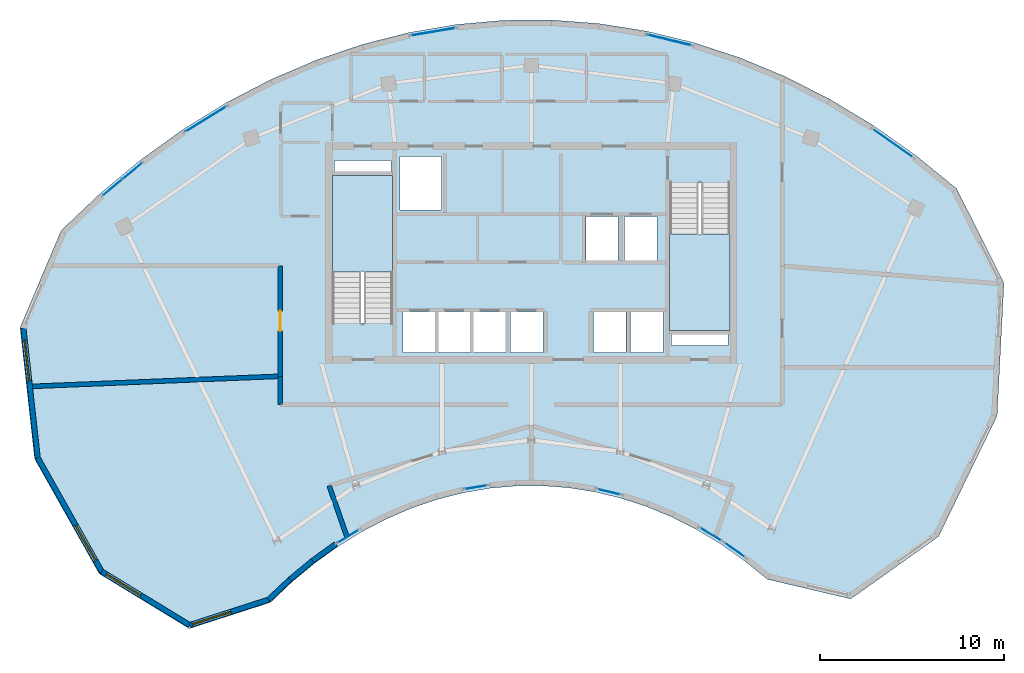
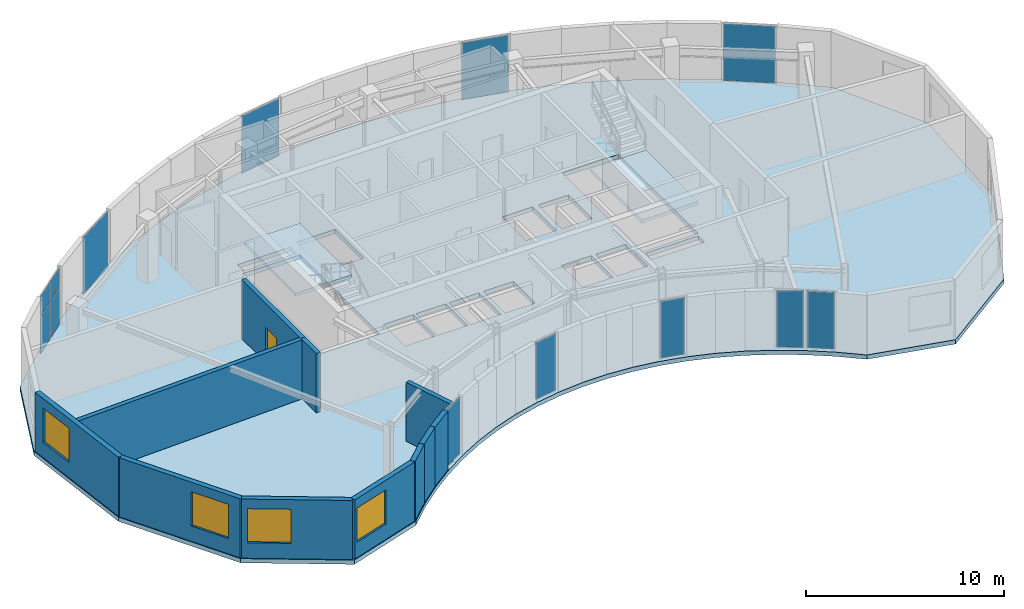
# One storey, part 4 of 9: 13 plates, 11 walls, 4 windows, 3 slabs, 1 door, 5 openings, 12 elements without a shape of their own.
"""IFC4 building model written with IfcOpenShell, lengths in metres."""

import ifcopenshell
import ifcopenshell.guid

model = None  # the IFC model being written
_history = None  # IfcOwnerHistory: only IFC2X3 demands one
_inside = {}  # id of a spatial element -> (the spatial element, [elements in it])
_under = {}  # id of a project, library or spatial element -> (it, [spatial elements below it])
_declared = {}  # id of a project -> (the project, [libraries it declares])
_typed = {}  # id of a type object -> (the type object, [elements of that type])
_made_of = {}  # id of a material, layer set ... -> (it, [elements and type objects made of it])


def new_model(schema):
    """Start an empty IFC model of exactly this schema.

    Asked for "IFC4X3", IfcOpenShell would pick the latest addendum, in which some entities
    have other attributes; the version numbers below select the first issue.
    IFC2X3 requires an IfcOwnerHistory on every rooted entity: one is made here for all.
    """
    global model, _history
    if schema == "IFC4X3":
        model = ifcopenshell.file(schema_version=(4, 3, 0, 0))
    else:
        model = ifcopenshell.file(schema=schema)
    _inside.clear()
    _under.clear()
    _declared.clear()
    _typed.clear()
    _made_of.clear()
    _history = None
    if model.schema == "IFC2X3":
        org = make("IfcOrganization", Name="unknown")
        user = make(
            "IfcPersonAndOrganization",
            ThePerson=make("IfcPerson", FamilyName="unknown"),
            TheOrganization=org,
        )
        app = make(
            "IfcApplication",
            ApplicationDeveloper=org,
            Version="unknown",
            ApplicationFullName="unknown",
            ApplicationIdentifier="unknown",
        )
        _history = make(
            "IfcOwnerHistory",
            OwningUser=user,
            OwningApplication=app,
            ChangeAction="ADDED",
            CreationDate=0,
        )
    return model


def make(cls, **values):
    """One entity of the class cls with the attributes given. An attribute that is None is left unset."""
    return model.create_entity(
        cls, **{name: value for name, value in values.items() if value is not None}
    )


def rooted(cls, **values):
    """An entity with a GlobalId (a new one), such as an element, a storey or a relation."""
    return make(cls, GlobalId=ifcopenshell.guid.new(), OwnerHistory=_history, **values)


def si_unit(unit_type, name, prefix=None):
    """IfcSIUnit, for example si_unit("LENGTHUNIT", "METRE", prefix="MILLI")."""
    return make("IfcSIUnit", UnitType=unit_type, Prefix=prefix, Name=name)


def assignment(units):
    """IfcUnitAssignment: the units of a project."""
    return None if units is None else make("IfcUnitAssignment", Units=units)


def point(xyz):
    """IfcCartesianPoint."""
    return None if xyz is None else make("IfcCartesianPoint", Coordinates=xyz)


def direction(xyz):
    """IfcDirection."""
    return None if xyz is None else make("IfcDirection", DirectionRatios=xyz)


def frame(location, z_axis=None, x_axis=None):
    """IfcAxis2Placement3D, a coordinate frame: its origin and axes. An axis left out is left unset."""
    return make(
        "IfcAxis2Placement3D",
        Location=point(location),
        Axis=direction(z_axis),
        RefDirection=direction(x_axis),
    )


def frame_2d(location, x_axis=None):
    """IfcAxis2Placement2D, a coordinate frame in the plane: its origin and x axis."""
    return make(
        "IfcAxis2Placement2D", Location=point(location), RefDirection=direction(x_axis)
    )


def origin():
    """The frame at (0, 0, 0) with its axes left unset."""
    return frame((0.0, 0.0, 0.0))


def origin_2d():
    """The frame at (0, 0) in the plane with its x axis left unset."""
    return frame_2d((0.0, 0.0))


def place(relative_to, where):
    """IfcLocalPlacement: puts the frame where relative to a parent placement (None: the world)."""
    return make(
        "IfcLocalPlacement", PlacementRelTo=relative_to, RelativePlacement=where
    )


def context(
    kind, dimensions, precision=None, world=None, true_north=None, identifier=None
):
    """IfcGeometricRepresentationContext, for example the 3D "Model" context."""
    return make(
        "IfcGeometricRepresentationContext",
        ContextIdentifier=identifier,
        ContextType=kind,
        CoordinateSpaceDimension=dimensions,
        Precision=precision,
        WorldCoordinateSystem=world,
        TrueNorth=true_north,
    )


def subcontext(parent, identifier, kind, view, scale=None):
    """IfcGeometricRepresentationSubContext, for example "Body" below "Model"."""
    return make(
        "IfcGeometricRepresentationSubContext",
        ContextIdentifier=identifier,
        ContextType=kind,
        ParentContext=parent,
        TargetScale=scale,
        TargetView=view,
    )


def project(units=None, contexts=None):
    """IfcProject with its units and contexts."""
    return rooted(
        "IfcProject",
        Name="project",
        RepresentationContexts=contexts,
        UnitsInContext=assignment(units),
    )


def spatial(cls, under=None, at=None, **own):
    """A site, building, storey or space (cls), placed at a placement, below another one or the project."""
    s = rooted(cls, ObjectPlacement=at, **own)
    if under is not None:
        _under.setdefault(under.id(), (under, []))[1].append(s)
    return s


def polyline(points):
    """IfcPolyline through the points."""
    return make("IfcPolyline", Points=[point(p) for p in points])


def profile(cls, at=None, kind="AREA", **sizes):
    """A parametric profile (cls). Its sizes go by their IFC names, for example OverallWidth=200.0."""
    return make(cls, ProfileType=kind, Position=at, **sizes)


def rectangle(**sizes):
    """IfcRectangleProfileDef."""
    return profile("IfcRectangleProfileDef", **sizes)


def outline(outer, holes=None, kind="AREA"):
    """IfcArbitraryClosedProfileDef: a profile drawn as a closed curve; with holes, ...WithVoids."""
    if holes is None:
        return make("IfcArbitraryClosedProfileDef", ProfileType=kind, OuterCurve=outer)
    return make(
        "IfcArbitraryProfileDefWithVoids",
        ProfileType=kind,
        OuterCurve=outer,
        InnerCurves=holes,
    )


def extrude(swept, where, along, depth):
    """IfcExtrudedAreaSolid: the profile swept, set in the frame where, extruded along a direction by depth."""
    return make(
        "IfcExtrudedAreaSolid",
        SweptArea=swept,
        Position=where,
        ExtrudedDirection=direction(along),
        Depth=depth,
    )


def shape(context_of_items, identifier, shape_type, items):
    """IfcShapeRepresentation: the items that make up one representation, for example the "Body"."""
    return make(
        "IfcShapeRepresentation",
        ContextOfItems=context_of_items,
        RepresentationIdentifier=identifier,
        RepresentationType=shape_type,
        Items=items,
    )


def source(mapping_origin, context_of_items, identifier, shape_type, items):
    """IfcRepresentationMap: a shape defined once, which mapped items show again and again."""
    return make(
        "IfcRepresentationMap",
        MappingOrigin=mapping_origin,
        MappedRepresentation=shape(context_of_items, identifier, shape_type, items),
    )


def transform(
    local_origin,
    x_axis=None,
    y_axis=None,
    z_axis=None,
    scale=None,
    scale2=None,
    scale3=None,
    uniform=True,
):
    """IfcCartesianTransformationOperator3D, or its non-uniform kind. x_axis, y_axis, z_axis: its Axis1, 2, 3."""
    if uniform:
        return make(
            "IfcCartesianTransformationOperator3D",
            Axis1=direction(x_axis),
            Axis2=direction(y_axis),
            LocalOrigin=point(local_origin),
            Scale=scale,
            Axis3=direction(z_axis),
        )
    return make(
        "IfcCartesianTransformationOperator3DnonUniform",
        Axis1=direction(x_axis),
        Axis2=direction(y_axis),
        LocalOrigin=point(local_origin),
        Scale=scale,
        Axis3=direction(z_axis),
        Scale2=scale2,
        Scale3=scale3,
    )


def mapped(mapping_source, mapping_target):
    """IfcMappedItem: shows the shape of a source again, moved by a transform."""
    return make(
        "IfcMappedItem", MappingSource=mapping_source, MappingTarget=mapping_target
    )


def material(Name=None, Category=None):
    """IfcMaterial."""
    return make("IfcMaterial", Name=Name, Category=Category)


def layer(
    of_material, thickness, ventilated=None, Name=None, Category=None, Priority=None
):
    """IfcMaterialLayer: one layer of a wall or slab, of a material (None: an air gap)."""
    return make(
        "IfcMaterialLayer",
        Material=of_material,
        LayerThickness=thickness,
        IsVentilated=ventilated,
        Name=Name,
        Category=Category,
        Priority=Priority,
    )


def layer_set(layers, Name=None):
    """IfcMaterialLayerSet."""
    return make("IfcMaterialLayerSet", MaterialLayers=layers, LayerSetName=Name)


def made_of(thing, what):
    """Note that an element or type object is made of a material, layer set ...; save() writes the relation."""
    if what is not None:
        _made_of.setdefault(what.id(), (what, []))[1].append(thing)
    return thing


def type_object(cls, material=None, **own):
    """A type object (cls), such as IfcWallType, which elements share."""
    return made_of(rooted(cls, **own), material)


def type_shapes(of_type, sources):
    """Give a type object the sources (RepresentationMaps) that its elements show as mapped items."""
    of_type.RepresentationMaps = sources


def element(
    cls,
    number,
    at=None,
    inside=None,
    cuts=None,
    type_object=None,
    material=None,
    context=None,
    identifier="Body",
    shape_type=None,
    held_by="IfcProductDefinitionShape",
    body=None,
    shapes=None,
    **own,
):
    """One element of the class cls, such as IfcWall. Its Tag is "e" and its number.

    at: its placement. inside: the storey or other place that contains it. cuts: it is an
    opening in that element (IfcRelVoidsElement). A single representation is given by context,
    identifier, shape_type and body (its items); several are given by shapes. held_by: the class
    of the entity that holds the representations. save() writes the other relations.
    """
    e = rooted(cls, Tag="e%d" % number, ObjectPlacement=at, **own)
    if body is not None:
        shapes = [shape(context, identifier, shape_type, body)]
    if shapes is not None:
        e.Representation = make(held_by, Representations=shapes)
    if inside is not None:
        _inside.setdefault(inside.id(), (inside, []))[1].append(e)
    if cuts is not None:
        rooted(
            "IfcRelVoidsElement", RelatingBuildingElement=cuts, RelatedOpeningElement=e
        )
    if type_object is not None:
        _typed.setdefault(type_object.id(), (type_object, []))[1].append(e)
    return made_of(e, material)


def fill(opening, filler):
    """IfcRelFillsElement: the door or window that sits in an opening."""
    return rooted(
        "IfcRelFillsElement",
        RelatingOpeningElement=opening,
        RelatedBuildingElement=filler,
    )


def aggregate(whole, parts):
    """IfcRelAggregates: a whole, such as a stair, and the parts it consists of."""
    return rooted("IfcRelAggregates", RelatingObject=whole, RelatedObjects=parts)


def save(model, path):
    """Write the relations noted so far, then the file.

    IfcRelAggregates (storeys below a building ...), IfcRelContainedInSpatialStructure (elements
    in a storey), IfcRelDefinesByType, IfcRelAssociatesMaterial and IfcRelDeclares: one each for
    every whole, place, type object, material and project.
    """
    for whole, parts in _under.values():
        aggregate(whole, parts)
    for where, things in _inside.values():
        rooted(
            "IfcRelContainedInSpatialStructure",
            RelatedElements=things,
            RelatingStructure=where,
        )
    for kind, things in _typed.values():
        rooted("IfcRelDefinesByType", RelatedObjects=things, RelatingType=kind)
    for what, things in _made_of.values():
        rooted("IfcRelAssociatesMaterial", RelatedObjects=things, RelatingMaterial=what)
    for by, libraries in _declared.values():
        rooted("IfcRelDeclares", RelatingContext=by, RelatedDefinitions=libraries)
    model.write(path)


model = new_model("IFC4")

# Units and contexts
model_context = context("Model", 3, precision=1e-05, world=origin(), true_north=direction((0.0, 1.0)))
body_context = subcontext(model_context, "Body", "Model", "MODEL_VIEW")
ifc_project = project(units=[si_unit("LENGTHUNIT", "METRE"), si_unit("AREAUNIT", "SQUARE_METRE"), si_unit("VOLUMEUNIT", "CUBIC_METRE"), si_unit("PLANEANGLEUNIT", "RADIAN"), si_unit("MASSUNIT", "GRAM", prefix="KILO")], contexts=[model_context])

# Site, building, storey
site_placement = place(None, origin())
site = spatial("IfcSite", under=ifc_project, at=site_placement, CompositionType="ELEMENT")
building_placement = place(site_placement, origin())
building = spatial("IfcBuilding", under=site, at=building_placement, Name="Breltana Convention Tower", CompositionType="ELEMENT")
storey_placement = place(building_placement, frame((0.0, 0.0, 299.10009765625)))
storey = spatial("IfcBuildingStorey", under=building, at=storey_placement, Name="L73", CompositionType="ELEMENT", Elevation=299.10009765625)

# Stair, slab
ifc_material_1 = material(Name="Concrete C40/50", Category="concrete")
stair_type = type_object("IfcStairType", Name="ST-DOG-1560-R177", PredefinedType="HALF_TURN_STAIR", material=ifc_material_1)
stair_1_placement = place(storey_placement, origin())
stair_1 = element("IfcStair", 1, at=stair_1_placement, inside=storey, type_object=stair_type, Name="L73 Protected Core Exit Stair ST-1", PredefinedType="HALF_TURN_STAIR")
ifc_layer_1 = layer(ifc_material_1, 0.199951171875, Name="Concrete C40/50")
ifc_layer_set_1 = layer_set([ifc_layer_1], Name="Concrete C40/50")
slab_type_1 = type_object("IfcSlabType", Name="SL-STAIR-LANDING-200", PredefinedType="LANDING", material=ifc_layer_set_1)
slab_1_placement = place(storey_placement, frame((0.0, 0.0, 1.75)))
slab_1 = element("IfcSlab", 2, at=slab_1_placement, type_object=slab_type_1, Name="ST-1 landing 1", PredefinedType="LANDING", context=body_context, shape_type="SweptSolid", body=[
    extrude(outline(polyline([(40.469970703125, 65.159912109375), (40.469970703125, 70.39990234375), (37.199951171875, 70.39990234375), (37.199951171875, 65.159912109375), (40.469970703125, 65.159912109375)])), origin(), (0.0, 0.0, 1.0), 0.199951171875),
])
aggregate(stair_1, [slab_1])

stair_2_placement = place(storey_placement, origin())
stair_2 = element("IfcStair", 3, at=stair_2_placement, inside=storey, type_object=stair_type, Name="L73 Protected Core Exit Stair ST-2", PredefinedType="HALF_TURN_STAIR")
slab_2_placement = place(storey_placement, frame((0.0, 0.0, 1.75)))
slab_2 = element("IfcSlab", 4, at=slab_2_placement, type_object=slab_type_1, Name="ST-2 landing 1", PredefinedType="LANDING", context=body_context, shape_type="SweptSolid", body=[
    extrude(outline(polyline([(55.530029296875, 67.239990234375), (55.530029296875, 62.0), (58.800048828125, 62.0), (58.800048828125, 67.239990234375), (55.530029296875, 67.239990234375)])), origin(), (0.0, 0.0, 1.0), 0.199951171875),
])
aggregate(stair_2, [slab_2])

# Slab
ifc_layer_2 = layer(ifc_material_1, 0.260009765625, Name="Concrete C40/50")
ifc_layer_set_2 = layer_set([ifc_layer_2], Name="Concrete C40/50")
slab_type_2 = type_object("IfcSlabType", Name="SL-UPP-260", PredefinedType="FLOOR", material=ifc_layer_set_2)
slab_3_placement = place(storey_placement, frame((0.0, 0.0, -0.260009765625)))
element("IfcSlab", 5, at=slab_3_placement, inside=storey, type_object=slab_type_2, Name="L73 Suspended Structural Floor Slab", PredefinedType="FLOOR", context=body_context, shape_type="SweptSolid", body=[
    extrude(outline(polyline([(71.119873046875, 69.7060546875), (68.9033203125, 71.50830078125), (66.60888671875, 73.126220703125), (64.244873046875, 74.552978515625), (61.8203125, 75.783935546875), (59.34423828125, 76.814208984375), (56.825927734375, 77.639892578125), (54.2744140625, 78.25830078125), (51.69970703125, 78.66650390625), (49.111083984375, 78.863525390625), (46.5185546875, 78.848388671875), (43.931396484375, 78.62109375), (41.359375, 78.1826171875), (38.81201171875, 77.53466796875), (36.29931640625, 76.679443359375), (33.829833984375, 75.620361328125), (31.41357421875, 74.361083984375), (29.058837890625, 72.906494140625), (26.77490234375, 71.26220703125), (24.5703125, 69.433837890625), (22.452880859375, 67.4287109375), (20.216796875, 62.142578125), (21.007080078125, 55.0126953125), (24.52197265625, 48.762451171875), (29.418701171875, 45.779296875), (33.827392578125, 47.202392578125), (35.001953125, 48.31494140625), (36.22509765625, 49.3291015625), (37.491943359375, 50.241455078125), (38.79833984375, 51.04833984375), (40.138916015625, 51.746826171875), (41.5087890625, 52.33447265625), (42.90283203125, 52.80908203125), (44.31591796875, 53.16845703125), (45.742919921875, 53.41162109375), (47.177978515625, 53.537841796875), (48.616455078125, 53.546142578125), (50.052490234375, 53.43701171875), (51.48095703125, 53.21044921875), (52.896240234375, 52.867431640625), (54.29345703125, 52.4091796875), (55.6669921875, 51.837646484375), (57.01220703125, 51.15478515625), (58.323486328125, 50.36328125), (59.5966796875, 49.4658203125), (60.826171875, 48.4658203125), (65.370849609375, 47.394775390625), (70.1455078125, 50.789306640625), (73.326416015625, 57.352783203125), (73.698486328125, 64.57861328125), (71.119873046875, 69.7060546875)]), holes=[polyline([(37.199951171875, 62.385009765625), (40.469970703125, 62.385009765625), (40.469970703125, 70.39990234375), (37.199951171875, 70.39990234375), (37.199951171875, 62.385009765625)]), polyline([(55.530029296875, 62.0), (58.800048828125, 62.0), (58.800048828125, 70.014892578125), (55.530029296875, 70.014892578125), (55.530029296875, 62.0)]), polyline([(41.0400390625, 60.800048828125), (42.800048828125, 60.800048828125), (42.800048828125, 62.97998046875), (41.0400390625, 62.97998046875), (41.0400390625, 60.800048828125)]), polyline([(42.93994140625, 60.800048828125), (44.699951171875, 60.800048828125), (44.699951171875, 62.97998046875), (42.93994140625, 62.97998046875), (42.93994140625, 60.800048828125)]), polyline([(44.8701171875, 60.800048828125), (46.6298828125, 60.800048828125), (46.6298828125, 62.97998046875), (44.8701171875, 62.97998046875), (44.8701171875, 60.800048828125)]), polyline([(46.8701171875, 60.800048828125), (48.6298828125, 60.800048828125), (48.6298828125, 62.97998046875), (46.8701171875, 62.97998046875), (46.8701171875, 60.800048828125)]), polyline([(51.39990234375, 60.800048828125), (53.159912109375, 60.800048828125), (53.159912109375, 62.97998046875), (51.39990234375, 62.97998046875), (51.39990234375, 60.800048828125)]), polyline([(53.39990234375, 60.800048828125), (55.159912109375, 60.800048828125), (55.159912109375, 62.97998046875), (53.39990234375, 62.97998046875), (53.39990234375, 60.800048828125)]), polyline([(50.969970703125, 65.800048828125), (52.72998046875, 65.800048828125), (52.72998046875, 68.179931640625), (50.969970703125, 68.179931640625), (50.969970703125, 65.800048828125)]), polyline([(53.070068359375, 65.800048828125), (54.830078125, 65.800048828125), (54.830078125, 68.179931640625), (53.070068359375, 68.179931640625), (53.070068359375, 65.800048828125)]), polyline([(40.8798828125, 68.550048828125), (43.1201171875, 68.550048828125), (43.1201171875, 71.449951171875), (40.8798828125, 71.449951171875), (40.8798828125, 68.550048828125)]), polyline([(37.300048828125, 70.60009765625), (40.3798828125, 70.60009765625), (40.3798828125, 71.219970703125), (37.300048828125, 71.219970703125), (37.300048828125, 70.60009765625)]), polyline([(55.6201171875, 61.179931640625), (58.699951171875, 61.179931640625), (58.699951171875, 61.800048828125), (55.6201171875, 61.800048828125), (55.6201171875, 61.179931640625)])]), origin(), (0.0, 0.0, 1.0), 0.260009765625),
])

# Curtain wall, plate
ifc_material_2 = material(Name="Aluminium Anodised Bronze Frame", Category="aluminium")
ifc_layer_3 = layer(ifc_material_2, 0.18994140625, Name="Aluminium Anodised Bronze Frame")
ifc_layer_set_3 = layer_set([ifc_layer_3], Name="Aluminium Anodised Bronze Frame")
curtain_wall_type_1 = type_object("IfcCurtainWallType", Name="CW-SYS-1", PredefinedType="NOTDEFINED", material=ifc_layer_set_3)
curtain_wall_1_placement = place(storey_placement, origin())
curtain_wall_1 = element("IfcCurtainWall", 6, at=curtain_wall_1_placement, inside=storey, type_object=curtain_wall_type_1, Name="L73 inner south-court glazing 1", PredefinedType="NOTDEFINED")
ifc_material_3 = material(Name="Glass Low-E Double Glazing", Category="glass")
ifc_layer_4 = layer(ifc_material_3, 0.028076171875, Name="Glass Low-E Double Glazing")
ifc_layer_set_4 = layer_set([ifc_layer_4], Name="Glass Low-E Double Glazing")
plate_type_1 = type_object("IfcPlateType", Name="CWP-IGU-28", PredefinedType="CURTAIN_PANEL", material=ifc_layer_set_4)
shared_shape_1 = source(origin(), body_context, "Body", "SweptSolid", [
    extrude(rectangle(XDim=1.3974609375, YDim=0.028076171875, at=origin_2d()), origin(), (0.0, 0.0, 1.0), 3.47998046875),
])
plate_1_placement = place(storey_placement, frame((59.063720703125, 50.0615234375, 0.079833984375), z_axis=(0.0, 0.0, 1.0), x_axis=(-0.817327132857, 0.576173895534, 0.0)))
plate_1 = element("IfcPlate", 7, at=plate_1_placement, type_object=plate_type_1, Name="CW-01 panel 1.1", PredefinedType="CURTAIN_PANEL", context=body_context, shape_type="MappedRepresentation", body=[
    mapped(shared_shape_1, transform((0.0, 0.0, 0.0), scale=1.0)),
])
aggregate(curtain_wall_1, [plate_1])

curtain_wall_2_placement = place(storey_placement, origin())
curtain_wall_2 = element("IfcCurtainWall", 8, at=curtain_wall_2_placement, inside=storey, type_object=curtain_wall_type_1, Name="L73 inner south-court glazing 2", PredefinedType="NOTDEFINED")
shared_shape_2 = source(origin(), body_context, "Body", "SweptSolid", [
    extrude(rectangle(XDim=1.371826171875, YDim=0.028076171875, at=origin_2d()), origin(), (0.0, 0.0, 1.0), 3.47998046875),
])
plate_2_placement = place(storey_placement, frame((57.760986328125, 50.9130859375, 0.079833984375), z_axis=(0.0, 0.0, 1.0), x_axis=(-0.856090059164, 0.516826673654, 0.0)))
plate_2 = element("IfcPlate", 9, at=plate_2_placement, type_object=plate_type_1, Name="CW-01 panel 1.1", PredefinedType="CURTAIN_PANEL", context=body_context, shape_type="MappedRepresentation", body=[
    mapped(shared_shape_2, transform((0.0, 0.0, 0.0), scale=1.0)),
])
aggregate(curtain_wall_2, [plate_2])

curtain_wall_3_placement = place(storey_placement, origin())
curtain_wall_3 = element("IfcCurtainWall", 10, at=curtain_wall_3_placement, inside=storey, type_object=curtain_wall_type_1, Name="L73 inner south-court glazing 3", PredefinedType="NOTDEFINED")
shared_shape_3 = source(origin(), body_context, "Body", "SweptSolid", [
    extrude(rectangle(XDim=1.29638671875, YDim=0.028076171875, at=origin_2d()), origin(), (0.0, 0.0, 1.0), 3.47998046875),
])
plate_3_placement = place(storey_placement, frame((52.23095703125, 53.2138671875, 0.079833984375), z_axis=(0.0, 0.0, 1.0), x_axis=(-0.97187011181, 0.235517485062, 0.0)))
plate_3 = element("IfcPlate", 11, at=plate_3_placement, type_object=plate_type_1, Name="CW-01 panel 1.1", PredefinedType="CURTAIN_PANEL", context=body_context, shape_type="MappedRepresentation", body=[
    mapped(shared_shape_3, transform((0.0, 0.0, 0.0), scale=1.0)),
])
aggregate(curtain_wall_3, [plate_3])

curtain_wall_4_placement = place(storey_placement, origin())
curtain_wall_4 = element("IfcCurtainWall", 12, at=curtain_wall_4_placement, inside=storey, type_object=curtain_wall_type_1, Name="L73 inner south-court glazing 4", PredefinedType="NOTDEFINED")
shared_shape_4 = source(origin(), body_context, "Body", "SweptSolid", [
    extrude(rectangle(XDim=1.287353515625, YDim=0.028076171875, at=origin_2d()), origin(), (0.0, 0.0, 1.0), 3.47998046875),
])
plate_4_placement = place(storey_placement, frame((44.999267578125, 53.467529296875, 0.079833984375), z_axis=(0.0, 0.0, 1.0), x_axis=(-0.985782236223, -0.168027922521, 0.0)))
plate_4 = element("IfcPlate", 13, at=plate_4_placement, type_object=plate_type_1, Name="CW-01 panel 1.1", PredefinedType="CURTAIN_PANEL", context=body_context, shape_type="MappedRepresentation", body=[
    mapped(shared_shape_4, transform((0.0, 0.0, 0.0), scale=1.0)),
])
aggregate(curtain_wall_4, [plate_4])

curtain_wall_5_placement = place(storey_placement, origin())
curtain_wall_5 = element("IfcCurtainWall", 14, at=curtain_wall_5_placement, inside=storey, type_object=curtain_wall_type_1, Name="L73 inner south-court glazing 5", PredefinedType="NOTDEFINED")
shared_shape_5 = source(origin(), body_context, "Body", "SweptSolid", [
    extrude(rectangle(XDim=1.37548828125, YDim=0.028076171875, at=origin_2d()), origin(), (0.0, 0.0, 1.0), 3.47998046875),
])
plate_5_placement = place(storey_placement, frame((38.050537109375, 50.798095703125, 0.079833984375), z_axis=(0.0, 0.0, 1.0), x_axis=(-0.850749179302, -0.525571911271, 0.0)))
plate_5 = element("IfcPlate", 15, at=plate_5_placement, type_object=plate_type_1, Name="CW-01 panel 1.1", PredefinedType="CURTAIN_PANEL", context=body_context, shape_type="MappedRepresentation", body=[
    mapped(shared_shape_5, transform((0.0, 0.0, 0.0), scale=1.0)),
])
aggregate(curtain_wall_5, [plate_5])

ifc_layer_5 = layer(ifc_material_2, 0.22998046875, Name="Aluminium Anodised Bronze Frame")
ifc_layer_set_5 = layer_set([ifc_layer_5], Name="Aluminium Anodised Bronze Frame")
curtain_wall_type_2 = type_object("IfcCurtainWallType", Name="CW-SYS-5", PredefinedType="NOTDEFINED", material=ifc_layer_set_5)
curtain_wall_6_placement = place(storey_placement, origin())
curtain_wall_6 = element("IfcCurtainWall", 16, at=curtain_wall_6_placement, inside=storey, type_object=curtain_wall_type_2, Name="L73 outer double-skin inner glazing 3", PredefinedType="NOTDEFINED")
ifc_layer_6 = layer(ifc_material_3, 0.035888671875, Name="Glass Low-E Double Glazing")
ifc_layer_set_6 = layer_set([ifc_layer_6], Name="Glass Low-E Double Glazing")
plate_type_2 = type_object("IfcPlateType", Name="CWP-IGU-36", PredefinedType="CURTAIN_PANEL", material=ifc_layer_set_6)
shared_shape_6 = source(origin(), body_context, "Body", "SweptSolid", [
    extrude(rectangle(XDim=2.454345703125, YDim=0.035888671875, at=origin_2d()), origin(), (0.0, 0.0, 1.0), 3.5),
])
plate_6_placement = place(storey_placement, frame((42.675537109375, 78.224365234375, 0.06982421875), z_axis=(0.0, 0.0, 1.0), x_axis=(0.985784110175, 0.168016928095, 0.0)))
plate_6 = element("IfcPlate", 17, at=plate_6_placement, type_object=plate_type_2, Name="CW-05 panel 1.1", PredefinedType="CURTAIN_PANEL", context=body_context, shape_type="MappedRepresentation", body=[
    mapped(shared_shape_6, transform((0.0, 0.0, 0.0), scale=1.0)),
])
aggregate(curtain_wall_6, [plate_6])

curtain_wall_7_placement = place(storey_placement, origin())
curtain_wall_7 = element("IfcCurtainWall", 18, at=curtain_wall_7_placement, inside=storey, type_object=curtain_wall_type_2, Name="L73 outer double-skin inner glazing 4", PredefinedType="NOTDEFINED")
shared_shape_7 = source(origin(), body_context, "Body", "SweptSolid", [
    extrude(rectangle(XDim=2.470947265625, YDim=0.035888671875, at=origin_2d()), origin(), (0.0, 0.0, 1.0), 3.5),
])
plate_7_placement = place(storey_placement, frame((55.5078125, 77.774169921875, 0.06982421875), z_axis=(0.0, 0.0, 1.0), x_axis=(0.971870033767, -0.235517807109, 0.0)))
plate_7 = element("IfcPlate", 19, at=plate_7_placement, type_object=plate_type_2, Name="CW-05 panel 1.1", PredefinedType="CURTAIN_PANEL", context=body_context, shape_type="MappedRepresentation", body=[
    mapped(shared_shape_7, transform((0.0, 0.0, 0.0), scale=1.0)),
])
aggregate(curtain_wall_7, [plate_7])

curtain_wall_8_placement = place(storey_placement, origin())
curtain_wall_8 = element("IfcCurtainWall", 20, at=curtain_wall_8_placement, inside=storey, type_object=curtain_wall_type_2, Name="L73 outer double-skin inner glazing 5", PredefinedType="NOTDEFINED")
shared_shape_8 = source(origin(), body_context, "Body", "SweptSolid", [
    extrude(rectangle(XDim=2.65478515625, YDim=0.035888671875, at=origin_2d()), origin(), (0.0, 0.0, 1.0), 3.5),
])
plate_8_placement = place(storey_placement, frame((67.652587890625, 72.170166015625, 0.06982421875), z_axis=(0.0, 0.0, 1.0), x_axis=(0.817284057658, -0.576234994683, 0.0)))
plate_8 = element("IfcPlate", 21, at=plate_8_placement, type_object=plate_type_2, Name="CW-05 panel 1.1", PredefinedType="CURTAIN_PANEL", context=body_context, shape_type="MappedRepresentation", body=[
    mapped(shared_shape_8, transform((0.0, 0.0, 0.0), scale=1.0)),
])
aggregate(curtain_wall_8, [plate_8])

# Curtain wall, plates
curtain_wall_9_placement = place(storey_placement, origin())
curtain_wall_9 = element("IfcCurtainWall", 22, at=curtain_wall_9_placement, inside=storey, type_object=curtain_wall_type_2, Name="L73 outer double-skin inner glazing 1", PredefinedType="NOTDEFINED")
shared_shape_9 = source(origin(), body_context, "Body", "SweptSolid", [
    extrude(rectangle(XDim=1.321044921875, YDim=0.035888671875, at=origin_2d()), origin(), (0.0, 0.0, 1.0), 2.260986328125),
])
plate_9_placement = place(storey_placement, frame((25.252197265625, 69.765380859375, 0.06982421875), z_axis=(0.0, 0.0, 1.0), x_axis=(0.76977098678, 0.638320160979, 0.0)))
plate_9 = element("IfcPlate", 23, at=plate_9_placement, type_object=plate_type_2, Name="CW-05 panel 1.1", PredefinedType="CURTAIN_PANEL", context=body_context, shape_type="MappedRepresentation", body=[
    mapped(shared_shape_9, transform((0.0, 0.0, 0.0), scale=1.0)),
])
plate_10_placement = place(storey_placement, frame((26.322998046875, 70.6533203125, 0.06982421875), z_axis=(0.0, 0.0, 1.0), x_axis=(0.76977098678, 0.638320160979, 0.0)))
plate_10 = element("IfcPlate", 24, at=plate_10_placement, type_object=plate_type_2, Name="CW-05 panel 2.1", PredefinedType="CURTAIN_PANEL", context=body_context, shape_type="MappedRepresentation", body=[
    mapped(shared_shape_9, transform((0.0, 0.0, 0.0), scale=1.0)),
])
shared_shape_10 = source(origin(), body_context, "Body", "SweptSolid", [
    extrude(rectangle(XDim=1.321044921875, YDim=0.035888671875, at=origin_2d()), origin(), (0.0, 0.0, 1.0), 1.1689453125),
])
plate_11_placement = place(storey_placement, frame((25.252197265625, 69.765380859375, 2.40087890625), z_axis=(0.0, 0.0, 1.0), x_axis=(0.76977098678, 0.638320160979, 0.0)))
plate_11 = element("IfcPlate", 25, at=plate_11_placement, type_object=plate_type_2, Name="CW-05 panel 1.2", PredefinedType="CURTAIN_PANEL", context=body_context, shape_type="MappedRepresentation", body=[
    mapped(shared_shape_10, transform((0.0, 0.0, 0.0), scale=1.0)),
])
plate_12_placement = place(storey_placement, frame((26.322998046875, 70.6533203125, 2.40087890625), z_axis=(0.0, 0.0, 1.0), x_axis=(0.76977098678, 0.638320160979, 0.0)))
plate_12 = element("IfcPlate", 26, at=plate_12_placement, type_object=plate_type_2, Name="CW-05 panel 2.2", PredefinedType="CURTAIN_PANEL", context=body_context, shape_type="MappedRepresentation", body=[
    mapped(shared_shape_10, transform((0.0, 0.0, 0.0), scale=1.0)),
])
aggregate(curtain_wall_9, [plate_9, plate_11, plate_10, plate_12])

# Curtain wall, plate
curtain_wall_10_placement = place(storey_placement, origin())
curtain_wall_10 = element("IfcCurtainWall", 27, at=curtain_wall_10_placement, inside=storey, type_object=curtain_wall_type_2, Name="L73 outer double-skin inner glazing 2", PredefinedType="NOTDEFINED")
shared_shape_11 = source(origin(), body_context, "Body", "SweptSolid", [
    extrude(rectangle(XDim=2.61474609375, YDim=0.035888671875, at=origin_2d()), origin(), (0.0, 0.0, 1.0), 3.5),
])
plate_13_placement = place(storey_placement, frame((30.330810546875, 73.480712890625, 0.06982421875), z_axis=(0.0, 0.0, 1.0), x_axis=(0.850768399946, 0.525540797325, 0.0)))
plate_13 = element("IfcPlate", 28, at=plate_13_placement, type_object=plate_type_2, Name="CW-05 panel 1.1", PredefinedType="CURTAIN_PANEL", context=body_context, shape_type="MappedRepresentation", body=[
    mapped(shared_shape_11, transform((0.0, 0.0, 0.0), scale=1.0)),
])
aggregate(curtain_wall_10, [plate_13])

# Walls
ifc_material_4 = material(Name="Limestone Buff Insulated Wall", Category="masonry")
ifc_layer_7 = layer(ifc_material_4, 0.280029296875, Name="Limestone Buff Insulated Wall")
ifc_layer_set_7 = layer_set([ifc_layer_7], Name="Limestone Buff Insulated Wall")
wall_type_1 = type_object("IfcWallType", Name="WL-EXT-NOSE-280", PredefinedType="SOLIDWALL", material=ifc_layer_set_7)
shared_shape_12 = source(origin(), body_context, "Body", "SweptSolid", [
    extrude(rectangle(XDim=1.56103515625, YDim=0.280029296875, at=frame_2d((0.780517578125, 0.0))), origin(), (0.0, 0.0, 1.0), 3.639892578125),
])
wall_1_placement = place(storey_placement, frame((37.38671875, 50.387451171875, 0.0), z_axis=(0.0, 0.0, 1.0), x_axis=(-0.81154027425, -0.584296485758, 0.0)))
element("IfcWall", 29, at=wall_1_placement, inside=storey, type_object=wall_type_1, Name="L73 curved limestone nose wall E18", PredefinedType="SOLIDWALL", context=body_context, shape_type="MappedRepresentation", body=[
    mapped(shared_shape_12, transform((0.0, 0.0, 0.0), scale=1.0)),
])
shared_shape_13 = source(origin(), body_context, "Body", "SweptSolid", [
    extrude(rectangle(XDim=1.5888671875, YDim=0.280029296875, at=frame_2d((0.79443359375, 0.0))), origin(), (0.0, 0.0, 1.0), 3.639892578125),
])
wall_2_placement = place(storey_placement, frame((36.110107421875, 49.4677734375, 0.0), z_axis=(0.0, 0.0, 1.0), x_axis=(-0.769805836273, -0.63827813251, 0.0)))
element("IfcWall", 30, at=wall_2_placement, inside=storey, type_object=wall_type_1, Name="L73 curved limestone nose wall E19", PredefinedType="SOLIDWALL", context=body_context, shape_type="MappedRepresentation", body=[
    mapped(shared_shape_13, transform((0.0, 0.0, 0.0), scale=1.0)),
])
shared_shape_14 = source(origin(), body_context, "Body", "SweptSolid", [
    extrude(rectangle(XDim=1.576904296875, YDim=0.280029296875, at=frame_2d((0.78857421875, 0.0))), origin(), (0.0, 0.0, 1.0), 3.639892578125),
])
wall_3_placement = place(storey_placement, frame((34.878173828125, 48.445556640625, 0.0), z_axis=(0.0, 0.0, 1.0), x_axis=(-0.726119464467, -0.687568558998, 0.0)))
element("IfcWall", 31, at=wall_3_placement, inside=storey, type_object=wall_type_1, Name="L73 curved limestone nose wall W1", PredefinedType="SOLIDWALL", context=body_context, shape_type="MappedRepresentation", body=[
    mapped(shared_shape_14, transform((0.0, 0.0, 0.0), scale=1.0)),
])

# Wall, opening, window
shared_shape_15 = source(origin(), body_context, "Body", "SweptSolid", [
    extrude(rectangle(XDim=4.50927734375, YDim=0.280029296875, at=frame_2d((2.254638671875, 0.0))), origin(), (0.0, 0.0, 1.0), 3.639892578125),
])
wall_4_placement = place(storey_placement, frame((33.733154296875, 47.361328125, 0.0), z_axis=(0.0, 0.0, 1.0), x_axis=(-0.95162949292, -0.307247958828, 0.0)))
wall_4 = element("IfcWall", 32, at=wall_4_placement, inside=storey, type_object=wall_type_1, Name="L73 curved limestone nose wall W2", PredefinedType="SOLIDWALL", context=body_context, shape_type="MappedRepresentation", body=[
    mapped(shared_shape_15, transform((0.0, 0.0, 0.0), scale=1.0)),
])
opening_1_placement = place(wall_4_placement, frame((2.1494140625, 0.0, 0.949951171875)))
opening_1 = element("IfcOpeningElement", 33, at=opening_1_placement, cuts=wall_4, Name="Opening W-03", PredefinedType="OPENING", context=body_context, shape_type="SweptSolid", body=[
    extrude(rectangle(XDim=2.199951171875, YDim=2.10009765625, at=frame_2d((1.10009765625, 1.050048828125))), frame((0.0, 0.14990234375, 0.0), z_axis=(0.0, -1.0, 0.0), x_axis=(1.0, 0.0, 0.0)), (0.0, 0.0, 1.0), 0.300048828125),
])
ifc_material_5 = material(Name="Glass Low-E Insulated Window", Category="glass")
window_type = type_object("IfcWindowType", Name="WN-NOSE-2200X2100", PartitioningType="TRIPLE_PANEL_VERTICAL", PredefinedType="WINDOW", material=ifc_material_5)
shared_shape_16 = source(origin(), body_context, "Body", "SweptSolid", [
    extrude(rectangle(XDim=2.199951171875, YDim=2.10009765625, at=frame_2d((1.10009765625, 1.050048828125))), frame((0.0, 0.030029296875, 0.0), z_axis=(0.0, -1.0, 0.0), x_axis=(1.0, 0.0, 0.0)), (0.0, 0.0, 1.0), 0.06005859375),
])
type_shapes(window_type, [shared_shape_16])
window_1_placement = place(opening_1_placement, origin())
window_1 = element("IfcWindow", 34, at=window_1_placement, inside=storey, type_object=window_type, Name="L73 nose window W2", OverallHeight=2.10009765625, OverallWidth=2.199951171875, PartitioningType="TRIPLE_PANEL_VERTICAL", PredefinedType="WINDOW", context=body_context, shape_type="MappedRepresentation", body=[
    mapped(shared_shape_16, transform((0.0, 0.0, 0.0), scale=1.0)),
])
fill(opening_1, window_1)

shared_shape_17 = source(origin(), body_context, "Body", "SweptSolid", [
    extrude(rectangle(XDim=5.604248046875, YDim=0.280029296875, at=frame_2d((2.80224609375, 0.0))), origin(), (0.0, 0.0, 1.0), 3.639892578125),
])
wall_5_placement = place(storey_placement, frame((29.44189453125, 45.975830078125, 0.0), z_axis=(0.0, 0.0, 1.0), x_axis=(-0.854002492971, 0.520268913158, 0.0)))
wall_5 = element("IfcWall", 35, at=wall_5_placement, inside=storey, type_object=wall_type_1, Name="L73 curved limestone nose wall W3", PredefinedType="SOLIDWALL", context=body_context, shape_type="MappedRepresentation", body=[
    mapped(shared_shape_17, transform((0.0, 0.0, 0.0), scale=1.0)),
])
opening_2_placement = place(wall_5_placement, frame((3.103271484375, 0.0, 0.949951171875)))
opening_2 = element("IfcOpeningElement", 36, at=opening_2_placement, cuts=wall_5, Name="Opening W-03", PredefinedType="OPENING", context=body_context, shape_type="SweptSolid", body=[
    extrude(rectangle(XDim=2.199951171875, YDim=2.10009765625, at=frame_2d((1.10009765625, 1.050048828125))), frame((0.0, 0.14990234375, 0.0), z_axis=(0.0, -1.0, 0.0), x_axis=(1.0, 0.0, 0.0)), (0.0, 0.0, 1.0), 0.300048828125),
])
window_2_placement = place(opening_2_placement, origin())
window_2 = element("IfcWindow", 37, at=window_2_placement, inside=storey, type_object=window_type, Name="L73 nose window W3", OverallHeight=2.10009765625, OverallWidth=2.199951171875, PartitioningType="TRIPLE_PANEL_VERTICAL", PredefinedType="WINDOW", context=body_context, shape_type="MappedRepresentation", body=[
    mapped(shared_shape_16, transform((0.0, 0.0, 0.0), scale=1.0)),
])
fill(opening_2, window_2)

shared_shape_18 = source(origin(), body_context, "Body", "SweptSolid", [
    extrude(rectangle(XDim=7.087158203125, YDim=0.280029296875, at=frame_2d((3.54345703125, 0.0))), origin(), (0.0, 0.0, 1.0), 3.639892578125),
])
wall_6_placement = place(storey_placement, frame((24.65576171875, 48.8916015625, 0.0), z_axis=(0.0, 0.0, 1.0), x_axis=(-0.490158199368, 0.871633489256, 0.0)))
wall_6 = element("IfcWall", 38, at=wall_6_placement, inside=storey, type_object=wall_type_1, Name="L73 curved limestone nose wall W4", PredefinedType="SOLIDWALL", context=body_context, shape_type="MappedRepresentation", body=[
    mapped(shared_shape_18, transform((0.0, 0.0, 0.0), scale=1.0)),
])
opening_3_placement = place(wall_6_placement, frame((0.671875, 0.0, 0.949951171875)))
opening_3 = element("IfcOpeningElement", 39, at=opening_3_placement, cuts=wall_6, Name="Opening W-03", PredefinedType="OPENING", context=body_context, shape_type="SweptSolid", body=[
    extrude(rectangle(XDim=2.199951171875, YDim=2.10009765625, at=frame_2d((1.10009765625, 1.050048828125))), frame((0.0, 0.14990234375, 0.0), z_axis=(0.0, -1.0, 0.0), x_axis=(1.0, 0.0, 0.0)), (0.0, 0.0, 1.0), 0.300048828125),
])
window_3_placement = place(opening_3_placement, origin())
window_3 = element("IfcWindow", 40, at=window_3_placement, inside=storey, type_object=window_type, Name="L73 nose window W4", OverallHeight=2.10009765625, OverallWidth=2.199951171875, PartitioningType="TRIPLE_PANEL_VERTICAL", PredefinedType="WINDOW", context=body_context, shape_type="MappedRepresentation", body=[
    mapped(shared_shape_16, transform((0.0, 0.0, 0.0), scale=1.0)),
])
fill(opening_3, window_3)

shared_shape_19 = source(origin(), body_context, "Body", "SweptSolid", [
    extrude(rectangle(XDim=7.08984375, YDim=0.280029296875, at=frame_2d((3.544921875, 0.0))), origin(), (0.0, 0.0, 1.0), 3.639892578125),
])
wall_7_placement = place(storey_placement, frame((21.181884765625, 55.069091796875, 0.0), z_axis=(0.0, 0.0, 1.0), x_axis=(-0.110159396922, 0.993913933532, 0.0)))
wall_7 = element("IfcWall", 41, at=wall_7_placement, inside=storey, type_object=wall_type_1, Name="L73 curved limestone nose wall W5", PredefinedType="SOLIDWALL", context=body_context, shape_type="MappedRepresentation", body=[
    mapped(shared_shape_19, transform((0.0, 0.0, 0.0), scale=1.0)),
])
opening_4_placement = place(wall_7_placement, frame((4.21728515625, 0.0, 0.949951171875)))
opening_4 = element("IfcOpeningElement", 42, at=opening_4_placement, cuts=wall_7, Name="Opening W-03", PredefinedType="OPENING", context=body_context, shape_type="SweptSolid", body=[
    extrude(rectangle(XDim=2.199951171875, YDim=2.10009765625, at=frame_2d((1.10009765625, 1.050048828125))), frame((0.0, 0.14990234375, 0.0), z_axis=(0.0, -1.0, 0.0), x_axis=(1.0, 0.0, 0.0)), (0.0, 0.0, 1.0), 0.300048828125),
])
window_4_placement = place(opening_4_placement, origin())
window_4 = element("IfcWindow", 43, at=window_4_placement, inside=storey, type_object=window_type, Name="L73 nose window W5", OverallHeight=2.10009765625, OverallWidth=2.199951171875, PartitioningType="TRIPLE_PANEL_VERTICAL", PredefinedType="WINDOW", context=body_context, shape_type="MappedRepresentation", body=[
    mapped(shared_shape_16, transform((0.0, 0.0, 0.0), scale=1.0)),
])
fill(opening_4, window_4)

# Walls
ifc_material_6 = material(Name="Gypsum Acoustic Double Stud Wall")
ifc_layer_8 = layer(ifc_material_6, 0.25, Name="Gypsum Acoustic Double Stud Wall")
ifc_layer_set_8 = layer_set([ifc_layer_8], Name="Gypsum Acoustic Double Stud Wall")
wall_type_2 = type_object("IfcWallType", Name="WL-ACOUSTIC-250", PredefinedType="PARTITIONING", material=ifc_layer_set_8)
shared_shape_20 = source(origin(), body_context, "Body", "SweptSolid", [
    extrude(rectangle(XDim=2.94384765625, YDim=0.25, at=frame_2d((1.471923828125, 0.0))), origin(), (0.0, 0.0, 1.0), 3.639892578125),
])
wall_8_placement = place(storey_placement, frame((37.98779296875, 50.77099609375, 0.0), z_axis=(0.0, 0.0, 1.0), x_axis=(-0.328565655286, 0.944481132774, 0.0)))
element("IfcWall", 44, at=wall_8_placement, inside=storey, type_object=wall_type_2, Name="L73 interior partition W-L73-ES1-RA", PredefinedType="PARTITIONING", context=body_context, shape_type="MappedRepresentation", body=[
    mapped(shared_shape_20, transform((0.0, 0.0, 0.0), scale=1.0)),
])
shared_shape_21 = source(origin(), body_context, "Body", "SweptSolid", [
    extrude(rectangle(XDim=13.4990234375, YDim=0.25, at=frame_2d((6.74951171875, 0.0))), origin(), (0.0, 0.0, 1.0), 3.639892578125),
])
wall_9_placement = place(storey_placement, frame((20.872314453125, 58.950927734375, 0.0), z_axis=(0.0, 0.0, 1.0), x_axis=(0.999172424054, 0.04067513995, 0.0)))
element("IfcWall", 45, at=wall_9_placement, inside=storey, type_object=wall_type_2, Name="L73 interior partition W-L73-EXW1-N", PredefinedType="PARTITIONING", context=body_context, shape_type="MappedRepresentation", body=[
    mapped(shared_shape_21, transform((0.0, 0.0, 0.0), scale=1.0)),
])
shared_shape_22 = source(origin(), body_context, "Body", "SweptSolid", [
    extrude(rectangle(XDim=1.5400390625, YDim=0.25, at=frame_2d((0.77001953125, 0.0))), origin(), (0.0, 0.0, 1.0), 3.639892578125),
])
wall_10_placement = place(storey_placement, frame((34.360107421875, 57.9599609375, 0.0), z_axis=(0.0, 0.0, 1.0), x_axis=(0.0, 1.0, 0.0)))
element("IfcWall", 46, at=wall_10_placement, inside=storey, type_object=wall_type_2, Name="L73 interior partition W-L73-EXW1-ENT", PredefinedType="PARTITIONING", context=body_context, shape_type="MappedRepresentation", body=[
    mapped(shared_shape_22, transform((0.0, 0.0, 0.0), scale=1.0)),
])

# Wall, opening, door
shared_shape_23 = source(origin(), body_context, "Body", "SweptSolid", [
    extrude(rectangle(XDim=6.0, YDim=0.25, at=frame_2d((3.0, 0.0))), origin(), (0.0, 0.0, 1.0), 3.639892578125),
])
wall_11_placement = place(storey_placement, frame((34.360107421875, 59.5, 0.0), z_axis=(0.0, 0.0, 1.0), x_axis=(0.0, 1.0, 0.0)))
wall_11 = element("IfcWall", 47, at=wall_11_placement, inside=storey, type_object=wall_type_2, Name="L73 interior partition W-L73-EXW2-ENT", PredefinedType="PARTITIONING", context=body_context, shape_type="MappedRepresentation", body=[
    mapped(shared_shape_23, transform((0.0, 0.0, 0.0), scale=1.0)),
])
opening_5_placement = place(wall_11_placement, frame((2.449951171875, 0.0, 0.0)))
opening_5 = element("IfcOpeningElement", 48, at=opening_5_placement, cuts=wall_11, Name="Opening D-12", PredefinedType="OPENING", context=body_context, shape_type="SweptSolid", body=[
    extrude(rectangle(XDim=1.10009765625, YDim=2.14990234375, at=frame_2d((0.550048828125, 1.074951171875))), frame((0.0, 0.135009765625, 0.0), z_axis=(0.0, -1.0, 0.0), x_axis=(1.0, 0.0, 0.0)), (0.0, 0.0, 1.0), 0.27001953125),
])
ifc_material_7 = material(Name="Timber Oak Acoustic Door", Category="wood")
door_type = type_object("IfcDoorType", Name="DR-INT-1100", OperationType="NOTDEFINED", PredefinedType="DOOR", material=ifc_material_7)
shared_shape_24 = source(origin(), body_context, "Body", "SweptSolid", [
    extrude(rectangle(XDim=1.10009765625, YDim=2.14990234375, at=frame_2d((0.550048828125, 1.074951171875))), frame((0.0, 0.02490234375, 0.0), z_axis=(0.0, -1.0, 0.0), x_axis=(1.0, 0.0, 0.0)), (0.0, 0.0, 1.0), 0.050048828125),
])
type_shapes(door_type, [shared_shape_24])
door_placement = place(opening_5_placement, origin())
door = element("IfcDoor", 49, at=door_placement, inside=storey, type_object=door_type, Name="L73 interior door D-L73-EXW2", OperationType="SINGLE_SWING_RIGHT", OverallHeight=2.14990234375, OverallWidth=1.10009765625, PredefinedType="DOOR", context=body_context, shape_type="MappedRepresentation", body=[
    mapped(shared_shape_24, transform((0.0, 0.0, 0.0), scale=1.0)),
])
fill(opening_5, door)

save(model, "model.ifc")
